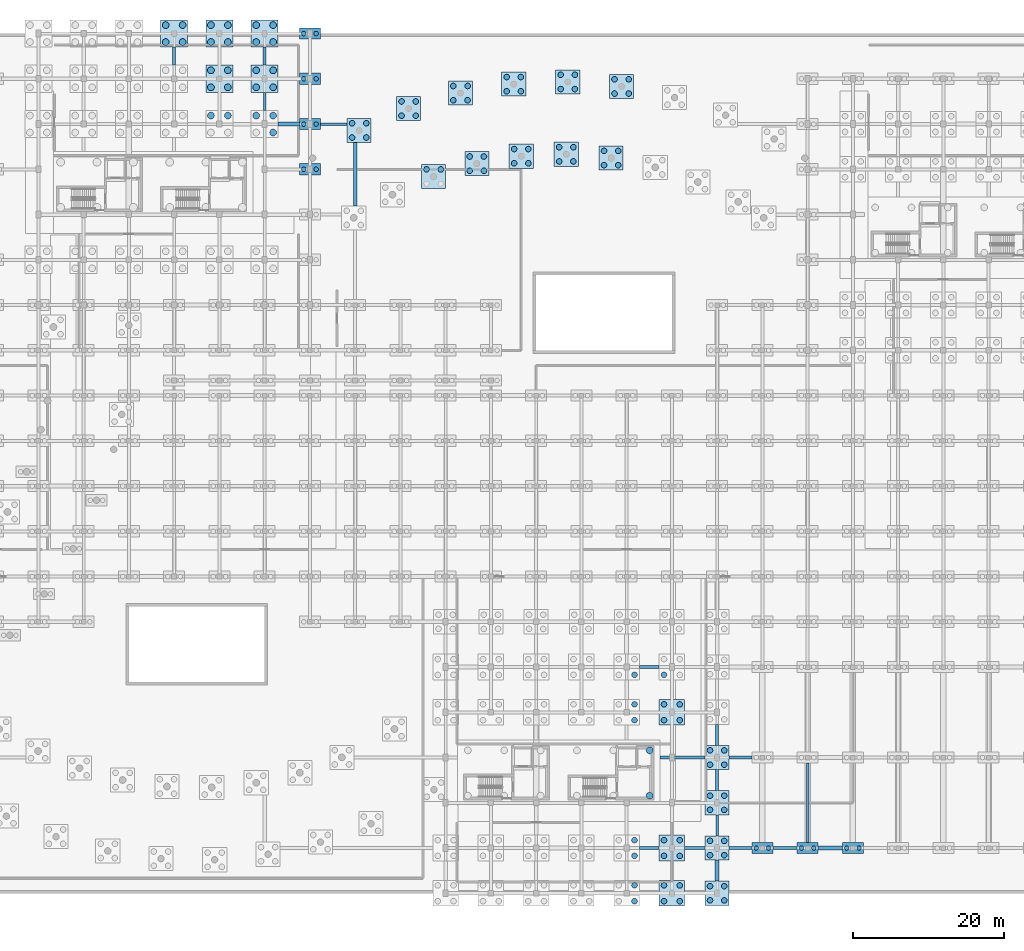
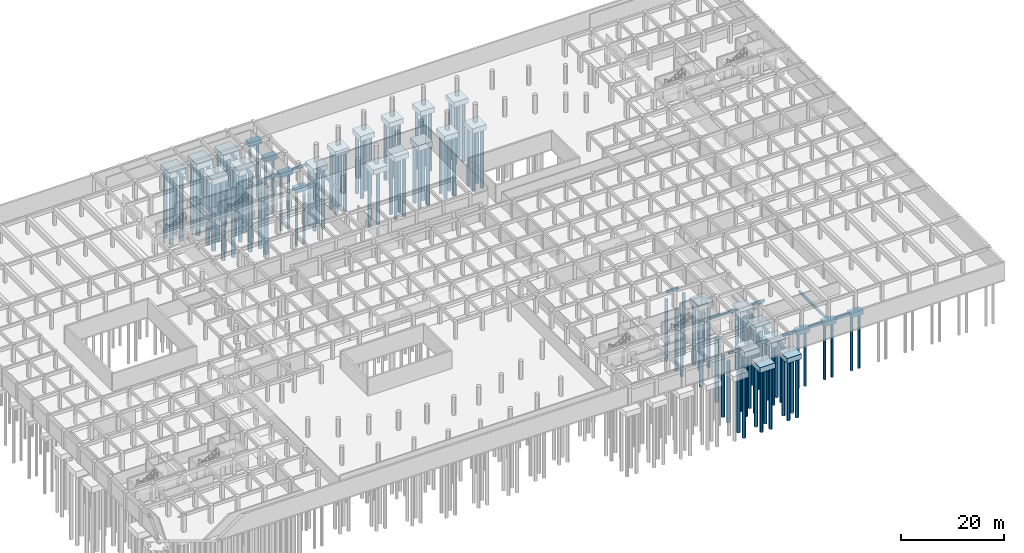
# One storey, part 9 of 41: 119 piles, 49 footings.
"""IFC4 building model written with IfcOpenShell, lengths in metres."""

import ifcopenshell
import ifcopenshell.guid

model = None  # the IFC model being written
_history = None  # IfcOwnerHistory: only IFC2X3 demands one
_inside = {}  # id of a spatial element -> (the spatial element, [elements in it])
_under = {}  # id of a project, library or spatial element -> (it, [spatial elements below it])
_declared = {}  # id of a project -> (the project, [libraries it declares])
_typed = {}  # id of a type object -> (the type object, [elements of that type])
_made_of = {}  # id of a material, layer set ... -> (it, [elements and type objects made of it])


def new_model(schema):
    """Start an empty IFC model of exactly this schema.

    Asked for "IFC4X3", IfcOpenShell would pick the latest addendum, in which some entities
    have other attributes; the version numbers below select the first issue.
    IFC2X3 requires an IfcOwnerHistory on every rooted entity: one is made here for all.
    """
    global model, _history
    if schema == "IFC4X3":
        model = ifcopenshell.file(schema_version=(4, 3, 0, 0))
    else:
        model = ifcopenshell.file(schema=schema)
    _inside.clear()
    _under.clear()
    _declared.clear()
    _typed.clear()
    _made_of.clear()
    _history = None
    if model.schema == "IFC2X3":
        org = make("IfcOrganization", Name="unknown")
        user = make(
            "IfcPersonAndOrganization",
            ThePerson=make("IfcPerson", FamilyName="unknown"),
            TheOrganization=org,
        )
        app = make(
            "IfcApplication",
            ApplicationDeveloper=org,
            Version="unknown",
            ApplicationFullName="unknown",
            ApplicationIdentifier="unknown",
        )
        _history = make(
            "IfcOwnerHistory",
            OwningUser=user,
            OwningApplication=app,
            ChangeAction="ADDED",
            CreationDate=0,
        )
    return model


def make(cls, **values):
    """One entity of the class cls with the attributes given. An attribute that is None is left unset."""
    return model.create_entity(
        cls, **{name: value for name, value in values.items() if value is not None}
    )


def rooted(cls, **values):
    """An entity with a GlobalId (a new one), such as an element, a storey or a relation."""
    return make(cls, GlobalId=ifcopenshell.guid.new(), OwnerHistory=_history, **values)


def si_unit(unit_type, name, prefix=None):
    """IfcSIUnit, for example si_unit("LENGTHUNIT", "METRE", prefix="MILLI")."""
    return make("IfcSIUnit", UnitType=unit_type, Prefix=prefix, Name=name)


def assignment(units):
    """IfcUnitAssignment: the units of a project."""
    return None if units is None else make("IfcUnitAssignment", Units=units)


def point(xyz):
    """IfcCartesianPoint."""
    return None if xyz is None else make("IfcCartesianPoint", Coordinates=xyz)


def direction(xyz):
    """IfcDirection."""
    return None if xyz is None else make("IfcDirection", DirectionRatios=xyz)


def frame(location, z_axis=None, x_axis=None):
    """IfcAxis2Placement3D, a coordinate frame: its origin and axes. An axis left out is left unset."""
    return make(
        "IfcAxis2Placement3D",
        Location=point(location),
        Axis=direction(z_axis),
        RefDirection=direction(x_axis),
    )


def frame_2d(location, x_axis=None):
    """IfcAxis2Placement2D, a coordinate frame in the plane: its origin and x axis."""
    return make(
        "IfcAxis2Placement2D", Location=point(location), RefDirection=direction(x_axis)
    )


def origin():
    """The frame at (0, 0, 0) with its axes left unset."""
    return frame((0.0, 0.0, 0.0))


def origin_2d():
    """The frame at (0, 0) in the plane with its x axis left unset."""
    return frame_2d((0.0, 0.0))


def place(relative_to, where):
    """IfcLocalPlacement: puts the frame where relative to a parent placement (None: the world)."""
    return make(
        "IfcLocalPlacement", PlacementRelTo=relative_to, RelativePlacement=where
    )


def context(
    kind, dimensions, precision=None, world=None, true_north=None, identifier=None
):
    """IfcGeometricRepresentationContext, for example the 3D "Model" context."""
    return make(
        "IfcGeometricRepresentationContext",
        ContextIdentifier=identifier,
        ContextType=kind,
        CoordinateSpaceDimension=dimensions,
        Precision=precision,
        WorldCoordinateSystem=world,
        TrueNorth=true_north,
    )


def subcontext(parent, identifier, kind, view, scale=None):
    """IfcGeometricRepresentationSubContext, for example "Body" below "Model"."""
    return make(
        "IfcGeometricRepresentationSubContext",
        ContextIdentifier=identifier,
        ContextType=kind,
        ParentContext=parent,
        TargetScale=scale,
        TargetView=view,
    )


def project(units=None, contexts=None):
    """IfcProject with its units and contexts."""
    return rooted(
        "IfcProject",
        Name="project",
        RepresentationContexts=contexts,
        UnitsInContext=assignment(units),
    )


def spatial(cls, under=None, at=None, **own):
    """A site, building, storey or space (cls), placed at a placement, below another one or the project."""
    s = rooted(cls, ObjectPlacement=at, **own)
    if under is not None:
        _under.setdefault(under.id(), (under, []))[1].append(s)
    return s


def polyline(points):
    """IfcPolyline through the points."""
    return make("IfcPolyline", Points=[point(p) for p in points])


def profile(cls, at=None, kind="AREA", **sizes):
    """A parametric profile (cls). Its sizes go by their IFC names, for example OverallWidth=200.0."""
    return make(cls, ProfileType=kind, Position=at, **sizes)


def rectangle(**sizes):
    """IfcRectangleProfileDef."""
    return profile("IfcRectangleProfileDef", **sizes)


def circle(**sizes):
    """IfcCircleProfileDef."""
    return profile("IfcCircleProfileDef", **sizes)


def outline(outer, holes=None, kind="AREA"):
    """IfcArbitraryClosedProfileDef: a profile drawn as a closed curve; with holes, ...WithVoids."""
    if holes is None:
        return make("IfcArbitraryClosedProfileDef", ProfileType=kind, OuterCurve=outer)
    return make(
        "IfcArbitraryProfileDefWithVoids",
        ProfileType=kind,
        OuterCurve=outer,
        InnerCurves=holes,
    )


def extrude(swept, where, along, depth):
    """IfcExtrudedAreaSolid: the profile swept, set in the frame where, extruded along a direction by depth."""
    return make(
        "IfcExtrudedAreaSolid",
        SweptArea=swept,
        Position=where,
        ExtrudedDirection=direction(along),
        Depth=depth,
    )


def shape(context_of_items, identifier, shape_type, items):
    """IfcShapeRepresentation: the items that make up one representation, for example the "Body"."""
    return make(
        "IfcShapeRepresentation",
        ContextOfItems=context_of_items,
        RepresentationIdentifier=identifier,
        RepresentationType=shape_type,
        Items=items,
    )


def material(Name=None, Category=None):
    """IfcMaterial."""
    return make("IfcMaterial", Name=Name, Category=Category)


def material_profile(
    of_material, cross_section, Name=None, Category=None, Priority=None
):
    """IfcMaterialProfile: a cross section and its material."""
    return make(
        "IfcMaterialProfile",
        Name=Name,
        Material=of_material,
        Profile=cross_section,
        Priority=Priority,
        Category=Category,
    )


def profile_set(profiles, Name=None, composite=None):
    """IfcMaterialProfileSet."""
    return make(
        "IfcMaterialProfileSet",
        Name=Name,
        MaterialProfiles=profiles,
        CompositeProfile=composite,
    )


def made_of(thing, what):
    """Note that an element or type object is made of a material, layer set ...; save() writes the relation."""
    if what is not None:
        _made_of.setdefault(what.id(), (what, []))[1].append(thing)
    return thing


def type_object(cls, material=None, **own):
    """A type object (cls), such as IfcWallType, which elements share."""
    return made_of(rooted(cls, **own), material)


def element(
    cls,
    number,
    at=None,
    inside=None,
    cuts=None,
    type_object=None,
    material=None,
    context=None,
    identifier="Body",
    shape_type=None,
    held_by="IfcProductDefinitionShape",
    body=None,
    shapes=None,
    **own,
):
    """One element of the class cls, such as IfcWall. Its Tag is "e" and its number.

    at: its placement. inside: the storey or other place that contains it. cuts: it is an
    opening in that element (IfcRelVoidsElement). A single representation is given by context,
    identifier, shape_type and body (its items); several are given by shapes. held_by: the class
    of the entity that holds the representations. save() writes the other relations.
    """
    e = rooted(cls, Tag="e%d" % number, ObjectPlacement=at, **own)
    if body is not None:
        shapes = [shape(context, identifier, shape_type, body)]
    if shapes is not None:
        e.Representation = make(held_by, Representations=shapes)
    if inside is not None:
        _inside.setdefault(inside.id(), (inside, []))[1].append(e)
    if cuts is not None:
        rooted(
            "IfcRelVoidsElement", RelatingBuildingElement=cuts, RelatedOpeningElement=e
        )
    if type_object is not None:
        _typed.setdefault(type_object.id(), (type_object, []))[1].append(e)
    return made_of(e, material)


def aggregate(whole, parts):
    """IfcRelAggregates: a whole, such as a stair, and the parts it consists of."""
    return rooted("IfcRelAggregates", RelatingObject=whole, RelatedObjects=parts)


def save(model, path):
    """Write the relations noted so far, then the file.

    IfcRelAggregates (storeys below a building ...), IfcRelContainedInSpatialStructure (elements
    in a storey), IfcRelDefinesByType, IfcRelAssociatesMaterial and IfcRelDeclares: one each for
    every whole, place, type object, material and project.
    """
    for whole, parts in _under.values():
        aggregate(whole, parts)
    for where, things in _inside.values():
        rooted(
            "IfcRelContainedInSpatialStructure",
            RelatedElements=things,
            RelatingStructure=where,
        )
    for kind, things in _typed.values():
        rooted("IfcRelDefinesByType", RelatedObjects=things, RelatingType=kind)
    for what, things in _made_of.values():
        rooted("IfcRelAssociatesMaterial", RelatedObjects=things, RelatingMaterial=what)
    for by, libraries in _declared.values():
        rooted("IfcRelDeclares", RelatingContext=by, RelatedDefinitions=libraries)
    model.write(path)


model = new_model("IFC4")

# Units and contexts
model_context = context("Model", 3, precision=1e-05, world=origin(), true_north=direction((0.0, 1.0)))
body_context = subcontext(model_context, "Body", "Model", "MODEL_VIEW")
ifc_project = project(units=[si_unit("LENGTHUNIT", "METRE"), si_unit("AREAUNIT", "SQUARE_METRE"), si_unit("VOLUMEUNIT", "CUBIC_METRE"), si_unit("PLANEANGLEUNIT", "RADIAN"), si_unit("MASSUNIT", "GRAM", prefix="KILO"), si_unit("POWERUNIT", "WATT"), si_unit("THERMODYNAMICTEMPERATUREUNIT", "KELVIN")], contexts=[model_context])

# Site, building, storey
site_placement = place(None, origin())
site = spatial("IfcSite", under=ifc_project, at=site_placement, CompositionType="ELEMENT")
building_placement = place(site_placement, origin())
building = spatial("IfcBuilding", under=site, at=building_placement, Name="Ruvembo Vaulted Housing Court", CompositionType="ELEMENT")
storey_placement = place(building_placement, frame((0.0, 0.0, -4.5)))
storey = spatial("IfcBuildingStorey", under=building, at=storey_placement, Name="B1", CompositionType="ELEMENT", Elevation=-4.5)

# Footings
ifc_material_1 = material(Name="Concrete C30/37", Category="concrete")
footing_type_1 = type_object("IfcFootingType", Name="GB-350x550", PredefinedType="FOOTING_BEAM", material=ifc_material_1)
footing_1_placement = place(storey_placement, frame((0.0, 0.0, -0.85009765625)))
element("IfcFooting", 1, at=footing_1_placement, inside=storey, type_object=footing_type_1, Name="Ground Tie Beam GB-174", PredefinedType="FOOTING_BEAM", context=body_context, shape_type="SweptSolid", body=[
    extrude(outline(polyline([(85.39990234375, 101.824951171875), (88.935791015625, 101.824951171875), (88.935791015625, 102.175048828125), (85.39990234375, 102.175048828125), (85.39990234375, 101.824951171875)])), origin(), (0.0, 0.0, 1.0), 0.550048828125),
])
footing_2_placement = place(storey_placement, frame((0.0, 0.0, -0.85009765625)))
element("IfcFooting", 2, at=footing_2_placement, inside=storey, type_object=footing_type_1, Name="Ground Tie Beam GB-252", PredefinedType="FOOTING_BEAM", context=body_context, shape_type="SweptSolid", body=[
    extrude(outline(polyline([(77.824951171875, 103.800048828125), (78.175048828125, 103.800048828125), (78.175048828125, 106.199951171875), (77.824951171875, 106.199951171875), (77.824951171875, 103.800048828125)])), origin(), (0.0, 0.0, 1.0), 0.550048828125),
])
footing_3_placement = place(storey_placement, frame((0.0, 0.0, -0.85009765625)))
element("IfcFooting", 3, at=footing_3_placement, inside=storey, type_object=footing_type_1, Name="Ground Tie Beam GB-294", PredefinedType="FOOTING_BEAM", context=body_context, shape_type="SweptSolid", body=[
    extrude(outline(polyline([(137.824951171875, 7.60009765625), (138.175048828125, 7.60009765625), (138.175048828125, 10.39990234375), (137.824951171875, 10.39990234375), (137.824951171875, 7.60009765625)])), origin(), (0.0, 0.0, 1.0), 0.550048828125),
])
footing_4_placement = place(storey_placement, frame((0.0, 0.0, -0.85009765625)))
element("IfcFooting", 4, at=footing_4_placement, inside=storey, type_object=footing_type_1, Name="Ground Tie Beam GB-306", PredefinedType="FOOTING_BEAM", context=body_context, shape_type="SweptSolid", body=[
    extrude(outline(polyline([(149.824951171875, 6.75), (150.175048828125, 6.75), (150.175048828125, 17.25), (149.824951171875, 17.25), (149.824951171875, 6.75)])), origin(), (0.0, 0.0, 1.0), 0.550048828125),
])
footing_type_2 = type_object("IfcFootingType", Name="GB-380x580", PredefinedType="FOOTING_BEAM", material=ifc_material_1)
footing_5_placement = place(storey_placement, frame((0.0, 0.0, -0.8798828125)))
element("IfcFooting", 5, at=footing_5_placement, inside=storey, type_object=footing_type_2, Name="Ground Tie Beam GB-013", PredefinedType="FOOTING_BEAM", context=body_context, shape_type="SweptSolid", body=[
    extrude(outline(polyline([(127.699951171875, 5.81005859375), (130.300048828125, 5.81005859375), (130.300048828125, 6.18994140625), (127.699951171875, 6.18994140625), (127.699951171875, 5.81005859375)])), origin(), (0.0, 0.0, 1.0), 0.579833984375),
])
footing_6_placement = place(storey_placement, frame((0.0, 0.0, -0.8798828125)))
element("IfcFooting", 6, at=footing_6_placement, inside=storey, type_object=footing_type_2, Name="Ground Tie Beam GB-253", PredefinedType="FOOTING_BEAM", context=body_context, shape_type="SweptSolid", body=[
    extrude(outline(polyline([(77.81005859375, 109.800048828125), (78.18994140625, 109.800048828125), (78.18994140625, 112.199951171875), (77.81005859375, 112.199951171875), (77.81005859375, 109.800048828125)])), origin(), (0.0, 0.0, 1.0), 0.579833984375),
])
footing_7_placement = place(storey_placement, frame((0.0, 0.0, -0.8798828125)))
element("IfcFooting", 7, at=footing_7_placement, inside=storey, type_object=footing_type_2, Name="Ground Tie Beam GB-295", PredefinedType="FOOTING_BEAM", context=body_context, shape_type="SweptSolid", body=[
    extrude(outline(polyline([(137.81005859375, 13.60009765625), (138.18994140625, 13.60009765625), (138.18994140625, 16.39990234375), (137.81005859375, 16.39990234375), (137.81005859375, 13.60009765625)])), origin(), (0.0, 0.0, 1.0), 0.579833984375),
])
footing_type_3 = type_object("IfcFootingType", Name="GB-400x600", PredefinedType="FOOTING_BEAM", material=ifc_material_1)
footing_8_placement = place(storey_placement, frame((0.0, 0.0, -0.89990234375)))
element("IfcFooting", 8, at=footing_8_placement, inside=storey, type_object=footing_type_3, Name="Ground Tie Beam GB-014", PredefinedType="FOOTING_BEAM", context=body_context, shape_type="SweptSolid", body=[
    extrude(outline(polyline([(133.699951171875, 5.800048828125), (136.39990234375, 5.800048828125), (136.39990234375, 6.199951171875), (133.699951171875, 6.199951171875), (133.699951171875, 5.800048828125)])), origin(), (0.0, 0.0, 1.0), 0.599853515625),
])
footing_9_placement = place(storey_placement, frame((0.0, 0.0, -0.89990234375)))
element("IfcFooting", 9, at=footing_9_placement, inside=storey, type_object=footing_type_3, Name="Ground Tie Beam GB-026", PredefinedType="FOOTING_BEAM", context=body_context, shape_type="SweptSolid", body=[
    extrude(outline(polyline([(130.449951171875, 17.800048828125), (136.39990234375, 17.800048828125), (136.39990234375, 18.199951171875), (130.449951171875, 18.199951171875), (130.449951171875, 17.800048828125)])), origin(), (0.0, 0.0, 1.0), 0.599853515625),
])
footing_10_placement = place(storey_placement, frame((0.0, 0.0, -0.89990234375)))
element("IfcFooting", 10, at=footing_10_placement, inside=storey, type_object=footing_type_3, Name="Ground Tie Beam GB-296", PredefinedType="FOOTING_BEAM", context=body_context, shape_type="SweptSolid", body=[
    extrude(outline(polyline([(137.800048828125, 19.60009765625), (138.199951171875, 19.60009765625), (138.199951171875, 22.39990234375), (137.800048828125, 22.39990234375), (137.800048828125, 19.60009765625)])), origin(), (0.0, 0.0, 1.0), 0.599853515625),
])
footing_type_4 = type_object("IfcFootingType", Name="GB-420x620", PredefinedType="FOOTING_BEAM", material=ifc_material_1)
footing_11_placement = place(storey_placement, frame((0.0, 0.0, -0.919921875)))
element("IfcFooting", 11, at=footing_11_placement, inside=storey, type_object=footing_type_4, Name="Ground Tie Beam GB-015", PredefinedType="FOOTING_BEAM", context=body_context, shape_type="SweptSolid", body=[
    extrude(outline(polyline([(139.60009765625, 5.7900390625), (142.60009765625, 5.7900390625), (142.60009765625, 6.2099609375), (139.60009765625, 6.2099609375), (139.60009765625, 5.7900390625)])), origin(), (0.0, 0.0, 1.0), 0.619873046875),
])
footing_12_placement = place(storey_placement, frame((0.0, 0.0, -0.919921875)))
element("IfcFooting", 12, at=footing_12_placement, inside=storey, type_object=footing_type_4, Name="Ground Tie Beam GB-027", PredefinedType="FOOTING_BEAM", context=body_context, shape_type="SweptSolid", body=[
    extrude(outline(polyline([(139.60009765625, 17.7900390625), (142.60009765625, 17.7900390625), (142.60009765625, 18.2099609375), (139.60009765625, 18.2099609375), (139.60009765625, 17.7900390625)])), origin(), (0.0, 0.0, 1.0), 0.619873046875),
])
footing_13_placement = place(storey_placement, frame((0.0, 0.0, -0.919921875)))
element("IfcFooting", 13, at=footing_13_placement, inside=storey, type_object=footing_type_4, Name="Ground Tie Beam GB-045", PredefinedType="FOOTING_BEAM", context=body_context, shape_type="SweptSolid", body=[
    extrude(outline(polyline([(127.699951171875, 29.7900390625), (130.300048828125, 29.7900390625), (130.300048828125, 30.2099609375), (127.699951171875, 30.2099609375), (127.699951171875, 29.7900390625)])), origin(), (0.0, 0.0, 1.0), 0.619873046875),
])
footing_14_placement = place(storey_placement, frame((0.0, 0.0, -0.919921875)))
element("IfcFooting", 14, at=footing_14_placement, inside=storey, type_object=footing_type_4, Name="Ground Tie Beam GB-243", PredefinedType="FOOTING_BEAM", context=body_context, shape_type="SweptSolid", body=[
    extrude(outline(polyline([(65.7900390625, 109.800048828125), (66.2099609375, 109.800048828125), (66.2099609375, 112.199951171875), (65.7900390625, 112.199951171875), (65.7900390625, 109.800048828125)])), origin(), (0.0, 0.0, 1.0), 0.619873046875),
])
footing_type_5 = type_object("IfcFootingType", Name="GB-450x650", PredefinedType="FOOTING_BEAM", material=ifc_material_1)
footing_15_placement = place(storey_placement, frame((0.0, 0.0, -0.949951171875)))
element("IfcFooting", 15, at=footing_15_placement, inside=storey, type_object=footing_type_5, Name="Ground Tie Beam GB-016", PredefinedType="FOOTING_BEAM", context=body_context, shape_type="SweptSolid", body=[
    extrude(outline(polyline([(145.39990234375, 5.77490234375), (148.60009765625, 5.77490234375), (148.60009765625, 6.22509765625), (145.39990234375, 6.22509765625), (145.39990234375, 5.77490234375)])), origin(), (0.0, 0.0, 1.0), 0.64990234375),
])
footing_16_placement = place(storey_placement, frame((0.0, 0.0, -0.949951171875)))
element("IfcFooting", 16, at=footing_16_placement, inside=storey, type_object=footing_type_5, Name="Ground Tie Beam GB-262", PredefinedType="FOOTING_BEAM", context=body_context, shape_type="SweptSolid", body=[
    extrude(outline(polyline([(89.77490234375, 91.16455078125), (90.22509765625, 91.16455078125), (90.22509765625, 99.560791015625), (89.77490234375, 99.560791015625), (89.77490234375, 91.16455078125)])), origin(), (0.0, 0.0, 1.0), 0.64990234375),
])
footing_type_6 = type_object("IfcFootingType", Name="GB-500x700", PredefinedType="FOOTING_BEAM", material=ifc_material_1)
footing_17_placement = place(storey_placement, frame((0.0, 0.0, -1.0)))
element("IfcFooting", 17, at=footing_17_placement, inside=storey, type_object=footing_type_6, Name="Ground Tie Beam GB-017", PredefinedType="FOOTING_BEAM", context=body_context, shape_type="SweptSolid", body=[
    extrude(outline(polyline([(151.39990234375, 5.75), (154.60009765625, 5.75), (154.60009765625, 6.25), (151.39990234375, 6.25), (151.39990234375, 5.75)])), origin(), (0.0, 0.0, 1.0), 0.699951171875),
])
footing_18_placement = place(storey_placement, frame((0.0, 0.0, -1.0)))
element("IfcFooting", 18, at=footing_18_placement, inside=storey, type_object=footing_type_6, Name="Ground Tie Beam GB-173", PredefinedType="FOOTING_BEAM", context=body_context, shape_type="SweptSolid", body=[
    extrude(outline(polyline([(79.800048828125, 101.75), (82.60009765625, 101.75), (82.60009765625, 102.25), (79.800048828125, 102.25), (79.800048828125, 101.75)])), origin(), (0.0, 0.0, 1.0), 0.699951171875),
])
footing_19_placement = place(storey_placement, frame((0.0, 0.0, -1.0)))
element("IfcFooting", 19, at=footing_19_placement, inside=storey, type_object=footing_type_6, Name="Ground Tie Beam GB-293", PredefinedType="FOOTING_BEAM", context=body_context, shape_type="SweptSolid", body=[
    extrude(outline(polyline([(137.75, 1.60009765625), (138.25, 1.60009765625), (138.25, 4.39990234375), (137.75, 4.39990234375), (137.75, 1.60009765625)])), origin(), (0.0, 0.0, 1.0), 0.699951171875),
])
ifc_material_2 = material(Name="Concrete C35/45", Category="concrete")
footing_type_7 = type_object("IfcFootingType", Name="PC-2P-A", PredefinedType="PILE_CAP", material=ifc_material_2)
for number, where, z_axis, x_axis, name in (
    (20, (84.0, 96.0, -1.300048828125), (0.0, 0.0, 1.0), (1.0, 0.0, 0.0), "Pile Cap PC1 #180"),
    (21, (84.0, 102.0, -1.300048828125), (0.0, 0.0, 1.0), (1.0, 0.0, 0.0), "Pile Cap PC1 #181"),
    (22, (84.0, 108.0, -1.300048828125), (0.0, 0.0, 1.0), (1.0, 0.0, 0.0), "Pile Cap PC1 #182"),
    (23, (84.0, 114.0, -1.300048828125), (0.0, 0.0, 1.0), (1.0, 0.0, 0.0), "Pile Cap PC1 #183"),
    (24, (144.0, 6.0, -1.300048828125), (0.0, 0.0, 1.0), (1.0, 0.0, 0.0), "Pile Cap PC1 #282"),
    (25, (150.0, 6.0, -1.300048828125), (0.0, 0.0, 1.0), (1.0, 0.0, 0.0), "Pile Cap PC1 #293"),
    (26, (156.0, 6.0, -1.300048828125), (0.0, 0.0, 1.0), (1.0, 0.0, 0.0), "Pile Cap PC1 #309"),
):
    element("IfcFooting", number, at=place(storey_placement, frame(where, z_axis=z_axis, x_axis=x_axis)), inside=storey, type_object=footing_type_7, Name=name, PredefinedType="PILE_CAP", context=body_context, shape_type="SweptSolid", body=[
        extrude(rectangle(XDim=2.800048828125, YDim=1.5, at=origin_2d()), origin(), (0.0, 0.0, 1.0), 1.0),
    ])
footing_type_8 = type_object("IfcFootingType", Name="PC-4P-A", PredefinedType="PILE_CAP", material=ifc_material_2)
for number, where, z_axis, x_axis, name in (
    (27, (138.0, 0.0, -1.5), (0.0, 0.0, 1.0), (1.0, 0.0, 0.0), "Pile Cap PC4 #268"),
    (28, (138.0, 6.0, -1.5), (0.0, 0.0, 1.0), (1.0, 0.0, 0.0), "Pile Cap PC4 #269"),
    (29, (138.0, 12.0, -1.5), (0.0, 0.0, 1.0), (1.0, 0.0, 0.0), "Pile Cap PC4 #270"),
    (30, (138.0, 18.0, -1.5), (0.0, 0.0, 1.0), (1.0, 0.0, 0.0), "Pile Cap PC4 #271"),
    (31, (90.535888671875, 101.16064453125, -1.5), (0.0, 0.0, 1.0), (1.0, 0.0, 0.0), "Pile Cap PC4 #425"),
    (32, (100.412841796875, 95.04296875, -1.5), (0.0, 0.0, 1.0), (1.0, 0.0, 0.0), "Pile Cap PC4 #426"),
    (33, (97.095458984375, 104.051513671875, -1.5), (0.0, 0.0, 1.0), (1.0, 0.0, 0.0), "Pile Cap PC4 #427"),
    (34, (106.13623046875, 96.75439453125, -1.5), (0.0, 0.0, 1.0), (1.0, 0.0, 0.0), "Pile Cap PC4 #428"),
    (35, (103.96337890625, 106.105224609375, -1.5), (0.0, 0.0, 1.0), (1.0, 0.0, 0.0), "Pile Cap PC4 #429"),
    (36, (112.027587890625, 97.74169921875, -1.5), (0.0, 0.0, 1.0), (1.0, 0.0, 0.0), "Pile Cap PC4 #430"),
    (37, (111.033203125, 107.2900390625, -1.5), (0.0, 0.0, 1.0), (1.0, 0.0, 0.0), "Pile Cap PC4 #431"),
    (38, (117.99609375, 97.98974609375, -1.5), (0.0, 0.0, 1.0), (1.0, 0.0, 0.0), "Pile Cap PC4 #432"),
    (39, (118.1953125, 107.587646484375, -1.5), (0.0, 0.0, 1.0), (1.0, 0.0, 0.0), "Pile Cap PC4 #433"),
    (40, (123.94921875, 97.494384765625, -1.5), (0.0, 0.0, 1.0), (1.0, 0.0, 0.0), "Pile Cap PC4 #434"),
    (41, (125.339111328125, 106.9931640625, -1.5), (0.0, 0.0, 1.0), (1.0, 0.0, 0.0), "Pile Cap PC4 #435"),
):
    element("IfcFooting", number, at=place(storey_placement, frame(where, z_axis=z_axis, x_axis=x_axis)), inside=storey, type_object=footing_type_8, Name=name, PredefinedType="PILE_CAP", context=body_context, shape_type="SweptSolid", body=[
        extrude(rectangle(XDim=3.199951171875, YDim=3.199951171875, at=origin_2d()), origin(), (0.0, 0.0, 1.0), 1.199951171875),
    ])
footing_type_9 = type_object("IfcFootingType", Name="PC-4P-B", PredefinedType="PILE_CAP", material=ifc_material_2)
for number, where, z_axis, x_axis, name in (
    (42, (132.0, 0.0, -1.550048828125), (0.0, 0.0, 1.0), (1.0, 0.0, 0.0), "Pile Cap PC5 #258"),
    (43, (132.0, 6.0, -1.550048828125), (0.0, 0.0, 1.0), (1.0, 0.0, 0.0), "Pile Cap PC5 #259"),
    (44, (132.0, 24.0, -1.550048828125), (0.0, 0.0, 1.0), (1.0, 0.0, 0.0), "Pile Cap PC5 #260"),
):
    element("IfcFooting", number, at=place(storey_placement, frame(where, z_axis=z_axis, x_axis=x_axis)), inside=storey, type_object=footing_type_9, Name=name, PredefinedType="PILE_CAP", context=body_context, shape_type="SweptSolid", body=[
        extrude(rectangle(XDim=3.39990234375, YDim=3.39990234375, at=origin_2d()), origin(), (0.0, 0.0, 1.0), 1.25),
    ])
footing_type_10 = type_object("IfcFootingType", Name="PC-4P-C", PredefinedType="PILE_CAP", material=ifc_material_2)
for number, where, z_axis, x_axis, name in (
    (45, (66.0, 114.0, -1.650146484375), (0.0, 0.0, 1.0), (1.0, 0.0, 0.0), "Pile Cap PC6 #144"),
    (46, (72.0, 108.0, -1.650146484375), (0.0, 0.0, 1.0), (1.0, 0.0, 0.0), "Pile Cap PC6 #155"),
    (47, (72.0, 114.0, -1.650146484375), (0.0, 0.0, 1.0), (1.0, 0.0, 0.0), "Pile Cap PC6 #156"),
    (48, (78.0, 108.0, -1.650146484375), (0.0, 0.0, 1.0), (1.0, 0.0, 0.0), "Pile Cap PC6 #167"),
    (49, (78.0, 114.0, -1.650146484375), (0.0, 0.0, 1.0), (1.0, 0.0, 0.0), "Pile Cap PC6 #168"),
):
    element("IfcFooting", number, at=place(storey_placement, frame(where, z_axis=z_axis, x_axis=x_axis)), inside=storey, type_object=footing_type_10, Name=name, PredefinedType="PILE_CAP", context=body_context, shape_type="SweptSolid", body=[
        extrude(rectangle(XDim=3.60009765625, YDim=3.60009765625, at=origin_2d()), origin(), (0.0, 0.0, 1.0), 1.35009765625),
    ])

# Piles
ifc_material_profile_1 = material_profile(ifc_material_1, circle(Radius=0.300048828125, at=origin_2d()), Name="PILE D600")
ifc_profile_set_1 = profile_set([ifc_material_profile_1], Name="Concrete C30/37")
pile_type_1 = type_object("IfcPileType", Name="PILE-BORED-600", PredefinedType="BORED", material=ifc_profile_set_1)
for number, where, z_axis, x_axis, name in (
    (50, (83.179931640625, 96.0, -1.199951171875), (0.0, 0.0, -1.0), (1.0, 0.0, 0.0), "Bored Pile PILE-0509"),
    (51, (84.820068359375, 96.0, -1.199951171875), (0.0, 0.0, -1.0), (1.0, 0.0, 0.0), "Bored Pile PILE-0510"),
    (52, (83.179931640625, 102.0, -1.199951171875), (0.0, 0.0, -1.0), (1.0, 0.0, 0.0), "Bored Pile PILE-0511"),
    (53, (84.820068359375, 102.0, -1.199951171875), (0.0, 0.0, -1.0), (1.0, 0.0, 0.0), "Bored Pile PILE-0512"),
    (54, (83.179931640625, 108.0, -1.199951171875), (0.0, 0.0, -1.0), (1.0, 0.0, 0.0), "Bored Pile PILE-0513"),
    (55, (84.820068359375, 108.0, -1.199951171875), (0.0, 0.0, -1.0), (1.0, 0.0, 0.0), "Bored Pile PILE-0514"),
    (56, (83.179931640625, 114.0, -1.199951171875), (0.0, 0.0, -1.0), (1.0, 0.0, 0.0), "Bored Pile PILE-0515"),
    (57, (84.820068359375, 114.0, -1.199951171875), (0.0, 0.0, -1.0), (1.0, 0.0, 0.0), "Bored Pile PILE-0516"),
    (58, (143.179931640625, 6.0, -1.199951171875), (0.0, 0.0, -1.0), (1.0, 0.0, 0.0), "Bored Pile PILE-0787"),
    (59, (144.820068359375, 6.0, -1.199951171875), (0.0, 0.0, -1.0), (1.0, 0.0, 0.0), "Bored Pile PILE-0788"),
    (60, (149.179931640625, 6.0, -1.199951171875), (0.0, 0.0, -1.0), (1.0, 0.0, 0.0), "Bored Pile PILE-0809"),
    (61, (150.820068359375, 6.0, -1.199951171875), (0.0, 0.0, -1.0), (1.0, 0.0, 0.0), "Bored Pile PILE-0810"),
    (62, (155.179931640625, 6.0, -1.199951171875), (0.0, 0.0, -1.0), (1.0, 0.0, 0.0), "Bored Pile PILE-0841"),
    (63, (156.820068359375, 6.0, -1.199951171875), (0.0, 0.0, -1.0), (1.0, 0.0, 0.0), "Bored Pile PILE-0842"),
):
    element("IfcPile", number, at=place(storey_placement, frame(where, z_axis=z_axis, x_axis=x_axis)), inside=storey, type_object=pile_type_1, Name=name, PredefinedType="BORED", context=body_context, shape_type="SweptSolid", body=[
        extrude(circle(Radius=0.300048828125, at=origin_2d()), origin(), (0.0, 0.0, 1.0), 13.0),
    ])
ifc_material_profile_2 = material_profile(ifc_material_1, circle(Radius=0.375, at=origin_2d()), Name="PILE D750")
ifc_profile_set_2 = profile_set([ifc_material_profile_2], Name="Concrete C30/37")
pile_type_2 = type_object("IfcPileType", Name="PILE-BORED-750", PredefinedType="BORED", material=ifc_profile_set_2)
for number, where, z_axis, x_axis, name in (
    (64, (127.044921875, -1.044921875, -1.449951171875), (0.0, 0.0, -1.0), (1.0, 0.0, 0.0), "Bored Pile PILE-0686"),
    (65, (127.044921875, 1.044921875, -1.449951171875), (0.0, 0.0, -1.0), (1.0, 0.0, 0.0), "Bored Pile PILE-0688"),
    (66, (127.044921875, 4.955078125, -1.449951171875), (0.0, 0.0, -1.0), (1.0, 0.0, 0.0), "Bored Pile PILE-0690"),
    (67, (127.044921875, 7.044921875, -1.449951171875), (0.0, 0.0, -1.0), (1.0, 0.0, 0.0), "Bored Pile PILE-0692"),
    (68, (127.044921875, 22.955078125, -1.449951171875), (0.0, 0.0, -1.0), (1.0, 0.0, 0.0), "Bored Pile PILE-0694"),
    (69, (127.044921875, 25.044921875, -1.449951171875), (0.0, 0.0, -1.0), (1.0, 0.0, 0.0), "Bored Pile PILE-0696"),
    (70, (127.044921875, 28.955078125, -1.449951171875), (0.0, 0.0, -1.0), (1.0, 0.0, 0.0), "Bored Pile PILE-0698"),
    (71, (130.955078125, -1.044921875, -1.449951171875), (0.0, 0.0, -1.0), (1.0, 0.0, 0.0), "Bored Pile PILE-0715"),
    (72, (133.044921875, -1.044921875, -1.449951171875), (0.0, 0.0, -1.0), (1.0, 0.0, 0.0), "Bored Pile PILE-0716"),
    (73, (130.955078125, 1.044921875, -1.449951171875), (0.0, 0.0, -1.0), (1.0, 0.0, 0.0), "Bored Pile PILE-0717"),
    (74, (133.044921875, 1.044921875, -1.449951171875), (0.0, 0.0, -1.0), (1.0, 0.0, 0.0), "Bored Pile PILE-0718"),
    (75, (130.955078125, 4.955078125, -1.449951171875), (0.0, 0.0, -1.0), (1.0, 0.0, 0.0), "Bored Pile PILE-0719"),
    (76, (133.044921875, 4.955078125, -1.449951171875), (0.0, 0.0, -1.0), (1.0, 0.0, 0.0), "Bored Pile PILE-0720"),
    (77, (130.955078125, 7.044921875, -1.449951171875), (0.0, 0.0, -1.0), (1.0, 0.0, 0.0), "Bored Pile PILE-0721"),
    (78, (133.044921875, 7.044921875, -1.449951171875), (0.0, 0.0, -1.0), (1.0, 0.0, 0.0), "Bored Pile PILE-0722"),
    (79, (130.955078125, 22.955078125, -1.449951171875), (0.0, 0.0, -1.0), (1.0, 0.0, 0.0), "Bored Pile PILE-0723"),
    (80, (133.044921875, 22.955078125, -1.449951171875), (0.0, 0.0, -1.0), (1.0, 0.0, 0.0), "Bored Pile PILE-0724"),
    (81, (130.955078125, 25.044921875, -1.449951171875), (0.0, 0.0, -1.0), (1.0, 0.0, 0.0), "Bored Pile PILE-0725"),
    (82, (133.044921875, 25.044921875, -1.449951171875), (0.0, 0.0, -1.0), (1.0, 0.0, 0.0), "Bored Pile PILE-0726"),
    (83, (130.955078125, 28.955078125, -1.449951171875), (0.0, 0.0, -1.0), (1.0, 0.0, 0.0), "Bored Pile PILE-0727"),
):
    element("IfcPile", number, at=place(storey_placement, frame(where, z_axis=z_axis, x_axis=x_axis)), inside=storey, type_object=pile_type_2, Name=name, PredefinedType="BORED", context=body_context, shape_type="SweptSolid", body=[
        extrude(circle(Radius=0.375, at=origin_2d()), origin(), (0.0, 0.0, 1.0), 14.5),
    ])
for number, where, z_axis, x_axis, name in (
    (84, (137.054931640625, -0.945068359375, -1.39990234375), (0.0, 0.0, -1.0), (1.0, 0.0, 0.0), "Bored Pile PILE-0745"),
    (85, (138.945068359375, -0.945068359375, -1.39990234375), (0.0, 0.0, -1.0), (1.0, 0.0, 0.0), "Bored Pile PILE-0746"),
    (86, (137.054931640625, 0.945068359375, -1.39990234375), (0.0, 0.0, -1.0), (1.0, 0.0, 0.0), "Bored Pile PILE-0747"),
    (87, (138.945068359375, 0.945068359375, -1.39990234375), (0.0, 0.0, -1.0), (1.0, 0.0, 0.0), "Bored Pile PILE-0748"),
    (88, (137.054931640625, 5.054931640625, -1.39990234375), (0.0, 0.0, -1.0), (1.0, 0.0, 0.0), "Bored Pile PILE-0749"),
    (89, (138.945068359375, 5.054931640625, -1.39990234375), (0.0, 0.0, -1.0), (1.0, 0.0, 0.0), "Bored Pile PILE-0750"),
    (90, (137.054931640625, 6.945068359375, -1.39990234375), (0.0, 0.0, -1.0), (1.0, 0.0, 0.0), "Bored Pile PILE-0751"),
    (91, (138.945068359375, 6.945068359375, -1.39990234375), (0.0, 0.0, -1.0), (1.0, 0.0, 0.0), "Bored Pile PILE-0752"),
    (92, (137.054931640625, 11.054931640625, -1.39990234375), (0.0, 0.0, -1.0), (1.0, 0.0, 0.0), "Bored Pile PILE-0753"),
    (93, (138.945068359375, 11.054931640625, -1.39990234375), (0.0, 0.0, -1.0), (1.0, 0.0, 0.0), "Bored Pile PILE-0754"),
    (94, (137.054931640625, 12.945068359375, -1.39990234375), (0.0, 0.0, -1.0), (1.0, 0.0, 0.0), "Bored Pile PILE-0755"),
    (95, (138.945068359375, 12.945068359375, -1.39990234375), (0.0, 0.0, -1.0), (1.0, 0.0, 0.0), "Bored Pile PILE-0756"),
    (96, (137.054931640625, 17.054931640625, -1.39990234375), (0.0, 0.0, -1.0), (1.0, 0.0, 0.0), "Bored Pile PILE-0757"),
    (97, (138.945068359375, 17.054931640625, -1.39990234375), (0.0, 0.0, -1.0), (1.0, 0.0, 0.0), "Bored Pile PILE-0758"),
    (98, (137.054931640625, 18.945068359375, -1.39990234375), (0.0, 0.0, -1.0), (1.0, 0.0, 0.0), "Bored Pile PILE-0759"),
    (99, (138.945068359375, 18.945068359375, -1.39990234375), (0.0, 0.0, -1.0), (1.0, 0.0, 0.0), "Bored Pile PILE-0760"),
    (100, (89.5908203125, 100.2158203125, -1.39990234375), (0.0, 0.0, -1.0), (1.0, 0.0, 0.0), "Bored Pile PILE-1171"),
    (101, (91.48095703125, 100.2158203125, -1.39990234375), (0.0, 0.0, -1.0), (1.0, 0.0, 0.0), "Bored Pile PILE-1172"),
    (102, (89.5908203125, 102.105712890625, -1.39990234375), (0.0, 0.0, -1.0), (1.0, 0.0, 0.0), "Bored Pile PILE-1173"),
    (103, (91.48095703125, 102.105712890625, -1.39990234375), (0.0, 0.0, -1.0), (1.0, 0.0, 0.0), "Bored Pile PILE-1174"),
    (104, (99.468017578125, 95.988037109375, -1.39990234375), (0.0, 0.0, -1.0), (1.0, 0.0, 0.0), "Bored Pile PILE-1177"),
    (105, (101.35791015625, 95.988037109375, -1.39990234375), (0.0, 0.0, -1.0), (1.0, 0.0, 0.0), "Bored Pile PILE-1178"),
    (106, (96.150390625, 103.106689453125, -1.39990234375), (0.0, 0.0, -1.0), (1.0, 0.0, 0.0), "Bored Pile PILE-1179"),
    (107, (98.04052734375, 103.106689453125, -1.39990234375), (0.0, 0.0, -1.0), (1.0, 0.0, 0.0), "Bored Pile PILE-1180"),
    (108, (96.150390625, 104.99658203125, -1.39990234375), (0.0, 0.0, -1.0), (1.0, 0.0, 0.0), "Bored Pile PILE-1181"),
    (109, (98.04052734375, 104.99658203125, -1.39990234375), (0.0, 0.0, -1.0), (1.0, 0.0, 0.0), "Bored Pile PILE-1182"),
    (110, (105.191162109375, 95.809326171875, -1.39990234375), (0.0, 0.0, -1.0), (1.0, 0.0, 0.0), "Bored Pile PILE-1183"),
    (111, (107.081298828125, 95.809326171875, -1.39990234375), (0.0, 0.0, -1.0), (1.0, 0.0, 0.0), "Bored Pile PILE-1184"),
    (112, (105.191162109375, 97.699462890625, -1.39990234375), (0.0, 0.0, -1.0), (1.0, 0.0, 0.0), "Bored Pile PILE-1185"),
    (113, (107.081298828125, 97.699462890625, -1.39990234375), (0.0, 0.0, -1.0), (1.0, 0.0, 0.0), "Bored Pile PILE-1186"),
    (114, (103.018310546875, 105.160400390625, -1.39990234375), (0.0, 0.0, -1.0), (1.0, 0.0, 0.0), "Bored Pile PILE-1187"),
    (115, (104.908447265625, 105.160400390625, -1.39990234375), (0.0, 0.0, -1.0), (1.0, 0.0, 0.0), "Bored Pile PILE-1188"),
    (116, (103.018310546875, 107.05029296875, -1.39990234375), (0.0, 0.0, -1.0), (1.0, 0.0, 0.0), "Bored Pile PILE-1189"),
    (117, (104.908447265625, 107.05029296875, -1.39990234375), (0.0, 0.0, -1.0), (1.0, 0.0, 0.0), "Bored Pile PILE-1190"),
    (118, (111.082763671875, 96.796875, -1.39990234375), (0.0, 0.0, -1.0), (1.0, 0.0, 0.0), "Bored Pile PILE-1191"),
    (119, (112.97265625, 96.796875, -1.39990234375), (0.0, 0.0, -1.0), (1.0, 0.0, 0.0), "Bored Pile PILE-1192"),
    (120, (111.082763671875, 98.686767578125, -1.39990234375), (0.0, 0.0, -1.0), (1.0, 0.0, 0.0), "Bored Pile PILE-1193"),
    (121, (112.97265625, 98.686767578125, -1.39990234375), (0.0, 0.0, -1.0), (1.0, 0.0, 0.0), "Bored Pile PILE-1194"),
    (122, (110.088134765625, 106.34521484375, -1.39990234375), (0.0, 0.0, -1.0), (1.0, 0.0, 0.0), "Bored Pile PILE-1195"),
    (123, (111.978271484375, 106.34521484375, -1.39990234375), (0.0, 0.0, -1.0), (1.0, 0.0, 0.0), "Bored Pile PILE-1196"),
    (124, (110.088134765625, 108.235107421875, -1.39990234375), (0.0, 0.0, -1.0), (1.0, 0.0, 0.0), "Bored Pile PILE-1197"),
    (125, (111.978271484375, 108.235107421875, -1.39990234375), (0.0, 0.0, -1.0), (1.0, 0.0, 0.0), "Bored Pile PILE-1198"),
    (126, (117.05126953125, 97.044677734375, -1.39990234375), (0.0, 0.0, -1.0), (1.0, 0.0, 0.0), "Bored Pile PILE-1199"),
    (127, (118.941162109375, 97.044677734375, -1.39990234375), (0.0, 0.0, -1.0), (1.0, 0.0, 0.0), "Bored Pile PILE-1200"),
    (128, (117.05126953125, 98.934814453125, -1.39990234375), (0.0, 0.0, -1.0), (1.0, 0.0, 0.0), "Bored Pile PILE-1201"),
    (129, (118.941162109375, 98.934814453125, -1.39990234375), (0.0, 0.0, -1.0), (1.0, 0.0, 0.0), "Bored Pile PILE-1202"),
    (130, (117.25048828125, 106.642578125, -1.39990234375), (0.0, 0.0, -1.0), (1.0, 0.0, 0.0), "Bored Pile PILE-1203"),
    (131, (119.140380859375, 106.642578125, -1.39990234375), (0.0, 0.0, -1.0), (1.0, 0.0, 0.0), "Bored Pile PILE-1204"),
    (132, (117.25048828125, 108.53271484375, -1.39990234375), (0.0, 0.0, -1.0), (1.0, 0.0, 0.0), "Bored Pile PILE-1205"),
    (133, (119.140380859375, 108.53271484375, -1.39990234375), (0.0, 0.0, -1.0), (1.0, 0.0, 0.0), "Bored Pile PILE-1206"),
    (134, (123.00439453125, 96.54931640625, -1.39990234375), (0.0, 0.0, -1.0), (1.0, 0.0, 0.0), "Bored Pile PILE-1207"),
    (135, (124.894287109375, 96.54931640625, -1.39990234375), (0.0, 0.0, -1.0), (1.0, 0.0, 0.0), "Bored Pile PILE-1208"),
    (136, (123.00439453125, 98.439208984375, -1.39990234375), (0.0, 0.0, -1.0), (1.0, 0.0, 0.0), "Bored Pile PILE-1209"),
    (137, (124.894287109375, 98.439208984375, -1.39990234375), (0.0, 0.0, -1.0), (1.0, 0.0, 0.0), "Bored Pile PILE-1210"),
    (138, (124.39404296875, 106.048095703125, -1.39990234375), (0.0, 0.0, -1.0), (1.0, 0.0, 0.0), "Bored Pile PILE-1211"),
    (139, (126.2841796875, 106.048095703125, -1.39990234375), (0.0, 0.0, -1.0), (1.0, 0.0, 0.0), "Bored Pile PILE-1212"),
    (140, (124.39404296875, 107.938232421875, -1.39990234375), (0.0, 0.0, -1.0), (1.0, 0.0, 0.0), "Bored Pile PILE-1213"),
    (141, (126.2841796875, 107.938232421875, -1.39990234375), (0.0, 0.0, -1.0), (1.0, 0.0, 0.0), "Bored Pile PILE-1214"),
):
    element("IfcPile", number, at=place(storey_placement, frame(where, z_axis=z_axis, x_axis=x_axis)), inside=storey, type_object=pile_type_2, Name=name, PredefinedType="BORED", context=body_context, shape_type="SweptSolid", body=[
        extrude(circle(Radius=0.375, at=origin_2d()), origin(), (0.0, 0.0, 1.0), 14.0),
    ])
ifc_material_profile_3 = material_profile(ifc_material_1, circle(Radius=0.449951171875, at=origin_2d()), Name="PILE D900")
ifc_profile_set_3 = profile_set([ifc_material_profile_3], Name="Concrete C30/37")
pile_type_3 = type_object("IfcPileType", Name="PILE-BORED-900", PredefinedType="BORED", material=ifc_profile_set_3)
for number, where, z_axis, x_axis, name in (
    (142, (129.050048828125, 12.949951171875, -1.679931640625), (0.0, 0.0, -1.0), (1.0, 0.0, 0.0), "Bored Pile PILE-0035"),
    (143, (129.050048828125, 18.949951171875, -1.679931640625), (0.0, 0.0, -1.0), (1.0, 0.0, 0.0), "Bored Pile PILE-0036"),
):
    element("IfcPile", number, at=place(storey_placement, frame(where, z_axis=z_axis, x_axis=x_axis)), inside=storey, type_object=pile_type_3, Name=name, PredefinedType="BORED", context=body_context, shape_type="SweptSolid", body=[
        extrude(circle(Radius=0.449951171875, at=origin_2d()), origin(), (0.0, 0.0, 1.0), 15.0),
    ])
for number, where, z_axis, x_axis, name in (
    (144, (64.875, 112.875, -1.550048828125), (0.0, 0.0, -1.0), (1.0, 0.0, 0.0), "Bored Pile PILE-0419"),
    (145, (67.125, 112.875, -1.550048828125), (0.0, 0.0, -1.0), (1.0, 0.0, 0.0), "Bored Pile PILE-0420"),
    (146, (64.875, 115.125, -1.550048828125), (0.0, 0.0, -1.0), (1.0, 0.0, 0.0), "Bored Pile PILE-0421"),
    (147, (67.125, 115.125, -1.550048828125), (0.0, 0.0, -1.0), (1.0, 0.0, 0.0), "Bored Pile PILE-0422"),
    (148, (70.875, 103.125, -1.550048828125), (0.0, 0.0, -1.0), (1.0, 0.0, 0.0), "Bored Pile PILE-0445"),
    (149, (73.125, 103.125, -1.550048828125), (0.0, 0.0, -1.0), (1.0, 0.0, 0.0), "Bored Pile PILE-0446"),
    (150, (70.875, 106.875, -1.550048828125), (0.0, 0.0, -1.0), (1.0, 0.0, 0.0), "Bored Pile PILE-0447"),
    (151, (73.125, 106.875, -1.550048828125), (0.0, 0.0, -1.0), (1.0, 0.0, 0.0), "Bored Pile PILE-0448"),
    (152, (70.875, 109.125, -1.550048828125), (0.0, 0.0, -1.0), (1.0, 0.0, 0.0), "Bored Pile PILE-0449"),
    (153, (73.125, 109.125, -1.550048828125), (0.0, 0.0, -1.0), (1.0, 0.0, 0.0), "Bored Pile PILE-0450"),
    (154, (70.875, 112.875, -1.550048828125), (0.0, 0.0, -1.0), (1.0, 0.0, 0.0), "Bored Pile PILE-0451"),
    (155, (73.125, 112.875, -1.550048828125), (0.0, 0.0, -1.0), (1.0, 0.0, 0.0), "Bored Pile PILE-0452"),
    (156, (70.875, 115.125, -1.550048828125), (0.0, 0.0, -1.0), (1.0, 0.0, 0.0), "Bored Pile PILE-0453"),
    (157, (73.125, 115.125, -1.550048828125), (0.0, 0.0, -1.0), (1.0, 0.0, 0.0), "Bored Pile PILE-0454"),
    (158, (79.125, 100.875, -1.550048828125), (0.0, 0.0, -1.0), (1.0, 0.0, 0.0), "Bored Pile PILE-0476"),
    (159, (76.875, 103.125, -1.550048828125), (0.0, 0.0, -1.0), (1.0, 0.0, 0.0), "Bored Pile PILE-0477"),
    (160, (79.125, 103.125, -1.550048828125), (0.0, 0.0, -1.0), (1.0, 0.0, 0.0), "Bored Pile PILE-0478"),
    (161, (76.875, 106.875, -1.550048828125), (0.0, 0.0, -1.0), (1.0, 0.0, 0.0), "Bored Pile PILE-0479"),
    (162, (79.125, 106.875, -1.550048828125), (0.0, 0.0, -1.0), (1.0, 0.0, 0.0), "Bored Pile PILE-0480"),
    (163, (76.875, 109.125, -1.550048828125), (0.0, 0.0, -1.0), (1.0, 0.0, 0.0), "Bored Pile PILE-0481"),
    (164, (79.125, 109.125, -1.550048828125), (0.0, 0.0, -1.0), (1.0, 0.0, 0.0), "Bored Pile PILE-0482"),
    (165, (76.875, 112.875, -1.550048828125), (0.0, 0.0, -1.0), (1.0, 0.0, 0.0), "Bored Pile PILE-0483"),
    (166, (79.125, 112.875, -1.550048828125), (0.0, 0.0, -1.0), (1.0, 0.0, 0.0), "Bored Pile PILE-0484"),
    (167, (76.875, 115.125, -1.550048828125), (0.0, 0.0, -1.0), (1.0, 0.0, 0.0), "Bored Pile PILE-0485"),
    (168, (79.125, 115.125, -1.550048828125), (0.0, 0.0, -1.0), (1.0, 0.0, 0.0), "Bored Pile PILE-0486"),
):
    element("IfcPile", number, at=place(storey_placement, frame(where, z_axis=z_axis, x_axis=x_axis)), inside=storey, type_object=pile_type_3, Name=name, PredefinedType="BORED", context=body_context, shape_type="SweptSolid", body=[
        extrude(circle(Radius=0.449951171875, at=origin_2d()), origin(), (0.0, 0.0, 1.0), 16.0),
    ])

save(model, "model.ifc")
